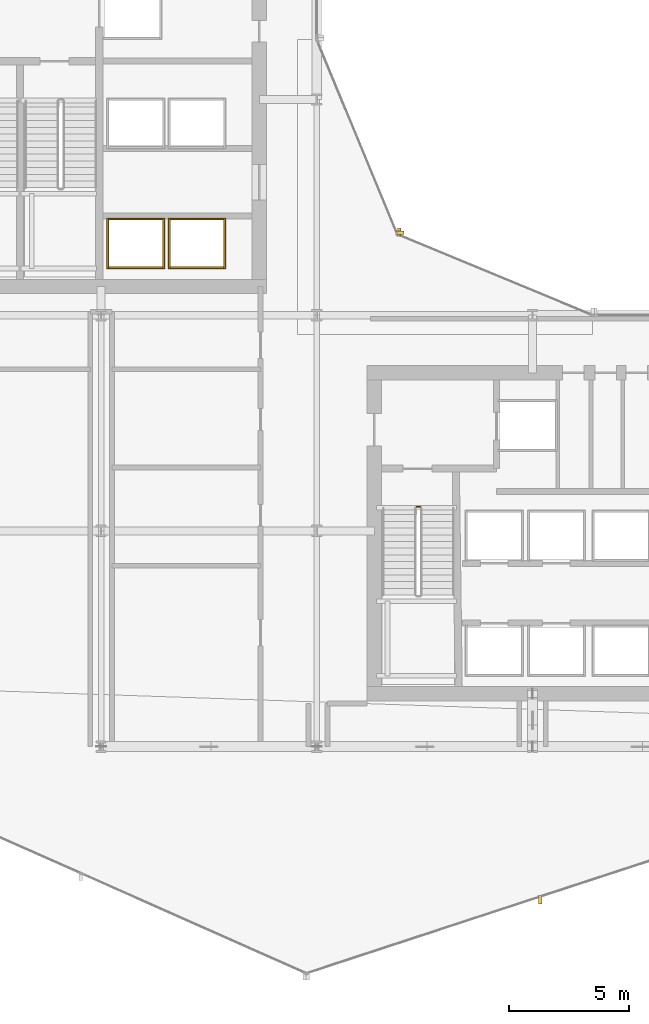
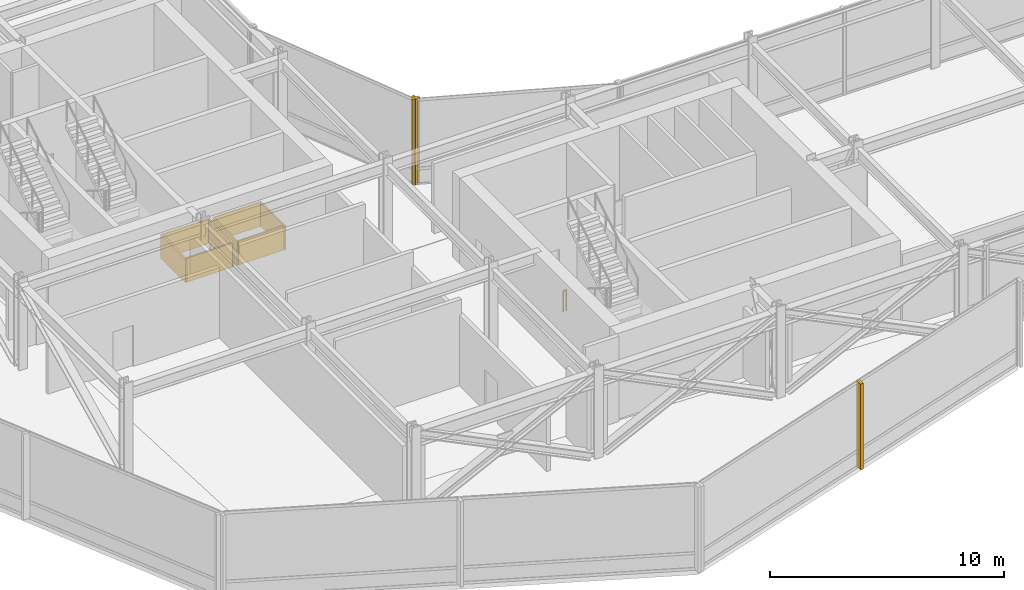
# One storey, part 39 of 42: 8 coverings, 3 shading devices, 1 railing.
"""IFC4 building model written with IfcOpenShell, lengths in metres."""

from ifc_helpers import new_model, si_unit, direction, frame, origin, origin_2d, place, context, subcontext, project, spatial, rectangle, circle, extrude, material, layer, layer_set, type_object, element, save


model = new_model("IFC4")

# Units and contexts
model_context = context("Model", 3, precision=1e-05, world=origin(), true_north=direction((0.0, 1.0)))
body_context = subcontext(model_context, "Body", "Model", "MODEL_VIEW")
ifc_project = project(units=[si_unit("LENGTHUNIT", "METRE"), si_unit("AREAUNIT", "SQUARE_METRE"), si_unit("VOLUMEUNIT", "CUBIC_METRE"), si_unit("PLANEANGLEUNIT", "RADIAN"), si_unit("MASSUNIT", "GRAM", prefix="KILO")], contexts=[model_context])

# Site, building, storey
site_placement = place(None, origin())
site = spatial("IfcSite", under=ifc_project, at=site_placement, CompositionType="ELEMENT")
building_placement = place(site_placement, origin())
building = spatial("IfcBuilding", under=site, at=building_placement, Name="Solvaryn Broadcast Tower", CompositionType="ELEMENT")
storey_placement = place(building_placement, frame((0.0, 0.0, 100.199951171875)))
storey = spatial("IfcBuildingStorey", under=building, at=storey_placement, Name="L24", CompositionType="ELEMENT", Elevation=100.199951171875)

# Coverings
ifc_material_1 = material(Name="Fire-Rated Gypsum Shaftwall Liner", Category="concrete")
ifc_layer = layer(ifc_material_1, 0.080078125)
ifc_layer_set = layer_set([ifc_layer], Name="CV-SHAFT-LINER")
covering_type = type_object("IfcCoveringType", Name="CV-SHAFT-LINER", PredefinedType="CLADDING", material=ifc_layer_set)
for number, where, z_axis, x_axis, name in (
    (1, (19.449951171875, 31.014892578125, 0.0), (0.0, 0.0, 1.0), (1.0, 0.0, 0.0), "L24 PH1 Hoistway Shaft Liner North"),
    (2, (19.449951171875, 28.985107421875, 0.0), (0.0, 0.0, 1.0), (1.0, 0.0, 0.0), "L24 PH1 Hoistway Shaft Liner South"),
):
    element("IfcCovering", number, at=place(storey_placement, frame(where, z_axis=z_axis, x_axis=x_axis)), inside=storey, type_object=covering_type, Name=name, PredefinedType="CLADDING", context=body_context, shape_type="SweptSolid", body=[
        extrude(rectangle(XDim=2.409912109375, YDim=0.080078125, at=origin_2d()), origin(), (0.0, 0.0, 1.0), 1.25),
    ])
for number, where, z_axis, x_axis, name in (
    (3, (20.614990234375, 30.0, 0.0), (0.0, 0.0, 1.0), (1.0, 0.0, 0.0), "L24 PH1 Hoistway Shaft Liner East"),
    (4, (18.284912109375, 30.0, 0.0), (0.0, 0.0, 1.0), (1.0, 0.0, 0.0), "L24 PH1 Hoistway Shaft Liner West"),
):
    element("IfcCovering", number, at=place(storey_placement, frame(where, z_axis=z_axis, x_axis=x_axis)), inside=storey, type_object=covering_type, Name=name, PredefinedType="CLADDING", context=body_context, shape_type="SweptSolid", body=[
        extrude(rectangle(XDim=0.080078125, YDim=2.110107421875, at=origin_2d()), origin(), (0.0, 0.0, 1.0), 1.25),
    ])
for number, where, z_axis, x_axis, name in (
    (5, (22.0, 31.014892578125, 0.0), (0.0, 0.0, 1.0), (1.0, 0.0, 0.0), "L24 PH2 Hoistway Shaft Liner North"),
    (6, (22.0, 28.985107421875, 0.0), (0.0, 0.0, 1.0), (1.0, 0.0, 0.0), "L24 PH2 Hoistway Shaft Liner South"),
):
    element("IfcCovering", number, at=place(storey_placement, frame(where, z_axis=z_axis, x_axis=x_axis)), inside=storey, type_object=covering_type, Name=name, PredefinedType="CLADDING", context=body_context, shape_type="SweptSolid", body=[
        extrude(rectangle(XDim=2.409912109375, YDim=0.080078125, at=origin_2d()), origin(), (0.0, 0.0, 1.0), 1.25),
    ])
for number, where, z_axis, x_axis, name in (
    (7, (23.1650390625, 30.0, 0.0), (0.0, 0.0, 1.0), (1.0, 0.0, 0.0), "L24 PH2 Hoistway Shaft Liner East"),
    (8, (20.8349609375, 30.0, 0.0), (0.0, 0.0, 1.0), (1.0, 0.0, 0.0), "L24 PH2 Hoistway Shaft Liner West"),
):
    element("IfcCovering", number, at=place(storey_placement, frame(where, z_axis=z_axis, x_axis=x_axis)), inside=storey, type_object=covering_type, Name=name, PredefinedType="CLADDING", context=body_context, shape_type="SweptSolid", body=[
        extrude(rectangle(XDim=0.080078125, YDim=2.110107421875, at=origin_2d()), origin(), (0.0, 0.0, 1.0), 1.25),
    ])

# Railing
ifc_material_2 = material(Name="Painted Steel Stair Well Guard", Category="steel")
railing_type = type_object("IfcRailingType", Name="RL-STAIR-GUARD", PredefinedType="BALUSTRADE", material=ifc_material_2)
railing_placement = place(storey_placement, frame((31.159912109375, 19.010009765625, 0.0)))
element("IfcRailing", 9, at=railing_placement, inside=storey, type_object=railing_type, Name="L24 ST3 stair guard 4", PredefinedType="BALUSTRADE", context=body_context, shape_type="SweptSolid", body=[
    extrude(circle(Radius=0.02392578125, at=origin_2d()), frame((0.0, 0.0, 1.076171875), z_axis=(1.0, 0.0, 0.0), x_axis=(0.0, 1.0, 0.0)), (0.0, 0.0, 1.0), 0.150146484375),
    extrude(circle(Radius=0.02099609375, at=origin_2d()), origin(), (0.0, 0.0, 1.0), 1.052001953125),
    extrude(circle(Radius=0.02099609375, at=origin_2d()), frame((0.150146484375, 0.0, 0.0)), (0.0, 0.0, 1.0), 1.052001953125),
])

# Shading devices
ifc_material_3 = material(Name="Anodised Aluminium Acoustic Louvre", Category="aluminium")
shading_device_type = type_object("IfcShadingDeviceType", Name="LV-01 Plant Intake Louvre", PredefinedType="USERDEFINED", material=ifc_material_3)
for number, where, z_axis, x_axis, name in (
    (10, (36.325439453125, 2.612060546875, 0.0), (0.0, 0.0, 1.0), (1.0, 0.0, 0.0), "L24 Plant Acoustic Louvre LV-CW-L24-DR4/M01"),
    (11, (30.441650390625, 30.467529296875, 0.0), (0.0, 0.0, 1.0), (1.0, 0.0, 0.0), "L24 Plant Acoustic Louvre LV-CW-L24-CN1/M01"),
):
    element("IfcShadingDevice", number, at=place(storey_placement, frame(where, z_axis=z_axis, x_axis=x_axis)), inside=storey, type_object=shading_device_type, Name=name, ObjectType="LOUVRE", PredefinedType="USERDEFINED", context=body_context, shape_type="SweptSolid", body=[
        extrude(rectangle(XDim=0.139892578125, YDim=0.340087890625, at=origin_2d()), origin(), (0.0, 0.0, 1.0), 4.469970703125),
    ])
shading_device_placement = place(storey_placement, frame((30.467529296875, 30.441650390625, 0.0), z_axis=(0.0, 0.0, 1.0), x_axis=(1.0, 0.0, 0.0)))
element("IfcShadingDevice", 12, at=shading_device_placement, inside=storey, type_object=shading_device_type, Name="L24 Plant Acoustic Louvre LV-CW-L24-CN2/M00", ObjectType="LOUVRE", PredefinedType="USERDEFINED", context=body_context, shape_type="SweptSolid", body=[
    extrude(rectangle(XDim=0.340087890625, YDim=0.139892578125, at=origin_2d()), origin(), (0.0, 0.0, 1.0), 4.469970703125),
])

save(model, "model.ifc")
